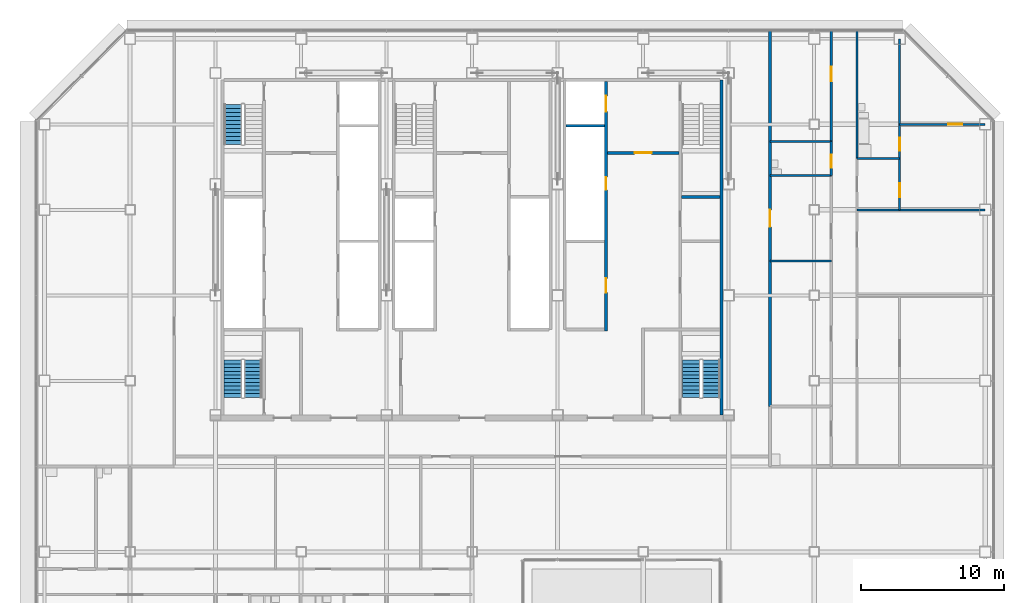
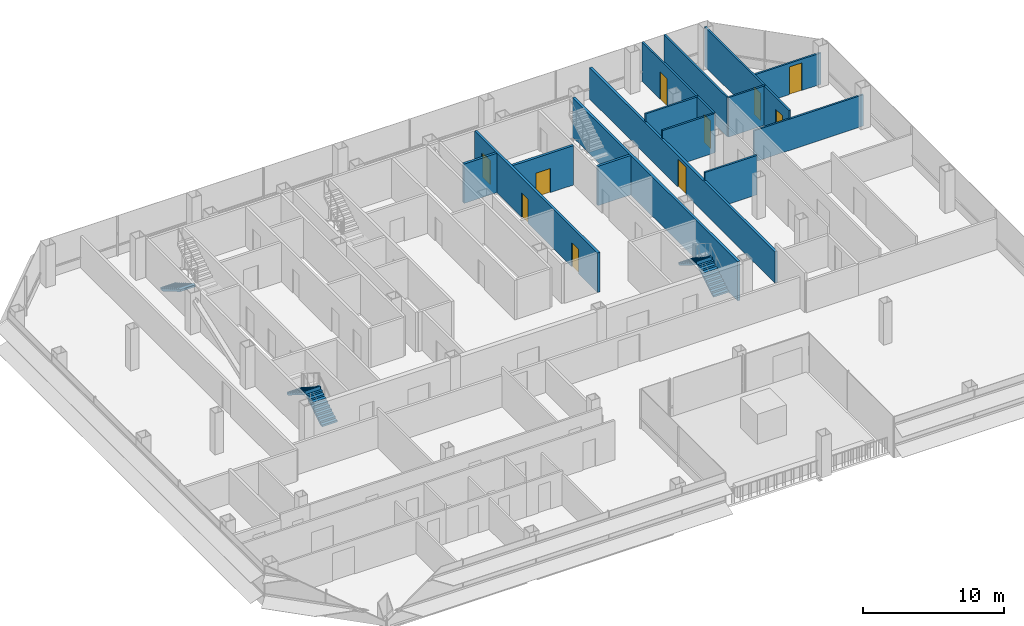
# One storey, part 21 of 26: 17 walls, 10 doors, 5 stair flights, 10 openings, 3 elements without a shape of their own.
"""IFC4 building model written with IfcOpenShell, lengths in metres."""

import ifcopenshell
import ifcopenshell.guid

model = None  # the IFC model being written
_history = None  # IfcOwnerHistory: only IFC2X3 demands one
_inside = {}  # id of a spatial element -> (the spatial element, [elements in it])
_under = {}  # id of a project, library or spatial element -> (it, [spatial elements below it])
_declared = {}  # id of a project -> (the project, [libraries it declares])
_typed = {}  # id of a type object -> (the type object, [elements of that type])
_made_of = {}  # id of a material, layer set ... -> (it, [elements and type objects made of it])


def new_model(schema):
    """Start an empty IFC model of exactly this schema.

    Asked for "IFC4X3", IfcOpenShell would pick the latest addendum, in which some entities
    have other attributes; the version numbers below select the first issue.
    IFC2X3 requires an IfcOwnerHistory on every rooted entity: one is made here for all.
    """
    global model, _history
    if schema == "IFC4X3":
        model = ifcopenshell.file(schema_version=(4, 3, 0, 0))
    else:
        model = ifcopenshell.file(schema=schema)
    _inside.clear()
    _under.clear()
    _declared.clear()
    _typed.clear()
    _made_of.clear()
    _history = None
    if model.schema == "IFC2X3":
        org = make("IfcOrganization", Name="unknown")
        user = make(
            "IfcPersonAndOrganization",
            ThePerson=make("IfcPerson", FamilyName="unknown"),
            TheOrganization=org,
        )
        app = make(
            "IfcApplication",
            ApplicationDeveloper=org,
            Version="unknown",
            ApplicationFullName="unknown",
            ApplicationIdentifier="unknown",
        )
        _history = make(
            "IfcOwnerHistory",
            OwningUser=user,
            OwningApplication=app,
            ChangeAction="ADDED",
            CreationDate=0,
        )
    return model


def make(cls, **values):
    """One entity of the class cls with the attributes given. An attribute that is None is left unset."""
    return model.create_entity(
        cls, **{name: value for name, value in values.items() if value is not None}
    )


def rooted(cls, **values):
    """An entity with a GlobalId (a new one), such as an element, a storey or a relation."""
    return make(cls, GlobalId=ifcopenshell.guid.new(), OwnerHistory=_history, **values)


def si_unit(unit_type, name, prefix=None):
    """IfcSIUnit, for example si_unit("LENGTHUNIT", "METRE", prefix="MILLI")."""
    return make("IfcSIUnit", UnitType=unit_type, Prefix=prefix, Name=name)


def assignment(units):
    """IfcUnitAssignment: the units of a project."""
    return None if units is None else make("IfcUnitAssignment", Units=units)


def point(xyz):
    """IfcCartesianPoint."""
    return None if xyz is None else make("IfcCartesianPoint", Coordinates=xyz)


def direction(xyz):
    """IfcDirection."""
    return None if xyz is None else make("IfcDirection", DirectionRatios=xyz)


def frame(location, z_axis=None, x_axis=None):
    """IfcAxis2Placement3D, a coordinate frame: its origin and axes. An axis left out is left unset."""
    return make(
        "IfcAxis2Placement3D",
        Location=point(location),
        Axis=direction(z_axis),
        RefDirection=direction(x_axis),
    )


def frame_2d(location, x_axis=None):
    """IfcAxis2Placement2D, a coordinate frame in the plane: its origin and x axis."""
    return make(
        "IfcAxis2Placement2D", Location=point(location), RefDirection=direction(x_axis)
    )


def origin():
    """The frame at (0, 0, 0) with its axes left unset."""
    return frame((0.0, 0.0, 0.0))


def place(relative_to, where):
    """IfcLocalPlacement: puts the frame where relative to a parent placement (None: the world)."""
    return make(
        "IfcLocalPlacement", PlacementRelTo=relative_to, RelativePlacement=where
    )


def context(
    kind, dimensions, precision=None, world=None, true_north=None, identifier=None
):
    """IfcGeometricRepresentationContext, for example the 3D "Model" context."""
    return make(
        "IfcGeometricRepresentationContext",
        ContextIdentifier=identifier,
        ContextType=kind,
        CoordinateSpaceDimension=dimensions,
        Precision=precision,
        WorldCoordinateSystem=world,
        TrueNorth=true_north,
    )


def subcontext(parent, identifier, kind, view, scale=None):
    """IfcGeometricRepresentationSubContext, for example "Body" below "Model"."""
    return make(
        "IfcGeometricRepresentationSubContext",
        ContextIdentifier=identifier,
        ContextType=kind,
        ParentContext=parent,
        TargetScale=scale,
        TargetView=view,
    )


def project(units=None, contexts=None):
    """IfcProject with its units and contexts."""
    return rooted(
        "IfcProject",
        Name="project",
        RepresentationContexts=contexts,
        UnitsInContext=assignment(units),
    )


def spatial(cls, under=None, at=None, **own):
    """A site, building, storey or space (cls), placed at a placement, below another one or the project."""
    s = rooted(cls, ObjectPlacement=at, **own)
    if under is not None:
        _under.setdefault(under.id(), (under, []))[1].append(s)
    return s


def polyline(points):
    """IfcPolyline through the points."""
    return make("IfcPolyline", Points=[point(p) for p in points])


def profile(cls, at=None, kind="AREA", **sizes):
    """A parametric profile (cls). Its sizes go by their IFC names, for example OverallWidth=200.0."""
    return make(cls, ProfileType=kind, Position=at, **sizes)


def rectangle(**sizes):
    """IfcRectangleProfileDef."""
    return profile("IfcRectangleProfileDef", **sizes)


def outline(outer, holes=None, kind="AREA"):
    """IfcArbitraryClosedProfileDef: a profile drawn as a closed curve; with holes, ...WithVoids."""
    if holes is None:
        return make("IfcArbitraryClosedProfileDef", ProfileType=kind, OuterCurve=outer)
    return make(
        "IfcArbitraryProfileDefWithVoids",
        ProfileType=kind,
        OuterCurve=outer,
        InnerCurves=holes,
    )


def extrude(swept, where, along, depth):
    """IfcExtrudedAreaSolid: the profile swept, set in the frame where, extruded along a direction by depth."""
    return make(
        "IfcExtrudedAreaSolid",
        SweptArea=swept,
        Position=where,
        ExtrudedDirection=direction(along),
        Depth=depth,
    )


def shape(context_of_items, identifier, shape_type, items):
    """IfcShapeRepresentation: the items that make up one representation, for example the "Body"."""
    return make(
        "IfcShapeRepresentation",
        ContextOfItems=context_of_items,
        RepresentationIdentifier=identifier,
        RepresentationType=shape_type,
        Items=items,
    )


def material(Name=None, Category=None):
    """IfcMaterial."""
    return make("IfcMaterial", Name=Name, Category=Category)


def layer(
    of_material, thickness, ventilated=None, Name=None, Category=None, Priority=None
):
    """IfcMaterialLayer: one layer of a wall or slab, of a material (None: an air gap)."""
    return make(
        "IfcMaterialLayer",
        Material=of_material,
        LayerThickness=thickness,
        IsVentilated=ventilated,
        Name=Name,
        Category=Category,
        Priority=Priority,
    )


def layer_set(layers, Name=None):
    """IfcMaterialLayerSet."""
    return make("IfcMaterialLayerSet", MaterialLayers=layers, LayerSetName=Name)


def made_of(thing, what):
    """Note that an element or type object is made of a material, layer set ...; save() writes the relation."""
    if what is not None:
        _made_of.setdefault(what.id(), (what, []))[1].append(thing)
    return thing


def type_object(cls, material=None, **own):
    """A type object (cls), such as IfcWallType, which elements share."""
    return made_of(rooted(cls, **own), material)


def element(
    cls,
    number,
    at=None,
    inside=None,
    cuts=None,
    type_object=None,
    material=None,
    context=None,
    identifier="Body",
    shape_type=None,
    held_by="IfcProductDefinitionShape",
    body=None,
    shapes=None,
    **own,
):
    """One element of the class cls, such as IfcWall. Its Tag is "e" and its number.

    at: its placement. inside: the storey or other place that contains it. cuts: it is an
    opening in that element (IfcRelVoidsElement). A single representation is given by context,
    identifier, shape_type and body (its items); several are given by shapes. held_by: the class
    of the entity that holds the representations. save() writes the other relations.
    """
    e = rooted(cls, Tag="e%d" % number, ObjectPlacement=at, **own)
    if body is not None:
        shapes = [shape(context, identifier, shape_type, body)]
    if shapes is not None:
        e.Representation = make(held_by, Representations=shapes)
    if inside is not None:
        _inside.setdefault(inside.id(), (inside, []))[1].append(e)
    if cuts is not None:
        rooted(
            "IfcRelVoidsElement", RelatingBuildingElement=cuts, RelatedOpeningElement=e
        )
    if type_object is not None:
        _typed.setdefault(type_object.id(), (type_object, []))[1].append(e)
    return made_of(e, material)


def fill(opening, filler):
    """IfcRelFillsElement: the door or window that sits in an opening."""
    return rooted(
        "IfcRelFillsElement",
        RelatingOpeningElement=opening,
        RelatedBuildingElement=filler,
    )


def aggregate(whole, parts):
    """IfcRelAggregates: a whole, such as a stair, and the parts it consists of."""
    return rooted("IfcRelAggregates", RelatingObject=whole, RelatedObjects=parts)


def save(model, path):
    """Write the relations noted so far, then the file.

    IfcRelAggregates (storeys below a building ...), IfcRelContainedInSpatialStructure (elements
    in a storey), IfcRelDefinesByType, IfcRelAssociatesMaterial and IfcRelDeclares: one each for
    every whole, place, type object, material and project.
    """
    for whole, parts in _under.values():
        aggregate(whole, parts)
    for where, things in _inside.values():
        rooted(
            "IfcRelContainedInSpatialStructure",
            RelatedElements=things,
            RelatingStructure=where,
        )
    for kind, things in _typed.values():
        rooted("IfcRelDefinesByType", RelatedObjects=things, RelatingType=kind)
    for what, things in _made_of.values():
        rooted("IfcRelAssociatesMaterial", RelatedObjects=things, RelatingMaterial=what)
    for by, libraries in _declared.values():
        rooted("IfcRelDeclares", RelatingContext=by, RelatedDefinitions=libraries)
    model.write(path)


model = new_model("IFC4")

# Units and contexts
model_context = context("Model", 3, precision=1e-05, world=origin(), true_north=direction((0.0, 1.0)))
body_context = subcontext(model_context, "Body", "Model", "MODEL_VIEW")
ifc_project = project(units=[si_unit("LENGTHUNIT", "METRE"), si_unit("AREAUNIT", "SQUARE_METRE"), si_unit("VOLUMEUNIT", "CUBIC_METRE"), si_unit("PLANEANGLEUNIT", "RADIAN"), si_unit("MASSUNIT", "GRAM", prefix="KILO")], contexts=[model_context])

# Site, building, storey
site_placement = place(None, origin())
site = spatial("IfcSite", under=ifc_project, at=site_placement, CompositionType="ELEMENT")
building_placement = place(site_placement, origin())
building = spatial("IfcBuilding", under=site, at=building_placement, Name="Sorahane Residences", CompositionType="ELEMENT")
storey_placement = place(building_placement, frame((0.0, 0.0, 103.39990234375)))
storey = spatial("IfcBuildingStorey", under=building, at=storey_placement, Name="L22", CompositionType="ELEMENT", Elevation=103.39990234375)

# Wall
ifc_material_1 = material(Name="Concrete C30", Category="concrete")
ifc_layer_1 = layer(ifc_material_1, 0.199951171875)
ifc_layer_set_1 = layer_set([ifc_layer_1], Name="Core face wall 200 EI 180")
wall_type_1 = type_object("IfcWallType", Name="Core face wall 200 EI 180", PredefinedType="SOLIDWALL", material=ifc_layer_set_1)
wall_1_placement = place(storey_placement, frame((41.5, 21.60009765625, 0.0), z_axis=(0.0, 0.0, 1.0), x_axis=(0.0, 1.0, 0.0)))
element("IfcWall", 1, at=wall_1_placement, inside=storey, type_object=wall_type_1, Name="L22 core face wall", PredefinedType="SOLIDWALL", context=body_context, shape_type="SweptSolid", body=[
    extrude(rectangle(XDim=23.5, YDim=0.199951171875, at=frame_2d((11.75, 0.0))), origin(), (0.0, 0.0, 1.0), 3.420166015625),
])

# Wall, opening, door
ifc_material_2 = material(Name="Concrete blockwork C20 wall", Category="masonry")
ifc_layer_2 = layer(ifc_material_2, 0.199951171875)
ifc_layer_set_2 = layer_set([ifc_layer_2], Name="Corridor wall 200 EI 120")
wall_type_2 = type_object("IfcWallType", Name="Corridor wall 200 EI 120", PredefinedType="SOLIDWALL", material=ifc_layer_set_2)
wall_2_placement = place(storey_placement, frame((44.89990234375, 22.199951171875, 0.0), z_axis=(0.0, 0.0, 1.0), x_axis=(0.0, 1.0, 0.0)))
wall_2 = element("IfcWall", 2, at=wall_2_placement, inside=storey, type_object=wall_type_2, Name="L22 corridor wall", PredefinedType="SOLIDWALL", context=body_context, shape_type="SweptSolid", body=[
    extrude(rectangle(XDim=26.400146484375, YDim=0.199951171875, at=frame_2d((13.2001953125, 0.0))), origin(), (0.0, 0.0, 1.0), 2.72021484375),
])
opening_1_placement = place(wall_2_placement, frame((12.60009765625, 0.0, 0.0)))
opening_1 = element("IfcOpeningElement", 3, at=opening_1_placement, cuts=wall_2, Name="Opening L22-28", PredefinedType="OPENING", context=body_context, shape_type="SweptSolid", body=[
    extrude(rectangle(XDim=1.199951171875, YDim=2.39990234375, at=frame_2d((0.60009765625, 1.199951171875))), frame((0.0, 0.10986328125, 0.0), z_axis=(0.0, -1.0, 0.0), x_axis=(1.0, 0.0, 0.0)), (0.0, 0.0, 1.0), 0.219970703125),
])
ifc_material_3 = material(Name="Timber veneered fire door", Category="wood")
door_type_1 = type_object("IfcDoorType", Name="Flat entrance door 1200x2400 FD60", OperationType="NOTDEFINED", PredefinedType="DOOR", material=ifc_material_3)
door_1_placement = place(opening_1_placement, frame((1.199951171875, 0.0, 0.0), z_axis=(0.0, 0.0, 1.0), x_axis=(-1.0, 0.0, 0.0)))
door_1 = element("IfcDoor", 4, at=door_1_placement, inside=storey, type_object=door_type_1, Name="Flat entrance door L22-28", OperationType="SINGLE_SWING_RIGHT", OverallHeight=2.39990234375, OverallWidth=1.199951171875, PredefinedType="DOOR", context=body_context, shape_type="SweptSolid", body=[
    extrude(rectangle(XDim=1.199951171875, YDim=2.39990234375, at=frame_2d((0.60009765625, 1.199951171875))), frame((0.0, 0.02490234375, 0.0), z_axis=(0.0, -1.0, 0.0), x_axis=(1.0, 0.0, 0.0)), (0.0, 0.0, 1.0), 0.050048828125),
])
fill(opening_1, door_1)

ifc_material_4 = material(Name="Concrete C30", Category="concrete")
ifc_layer_3 = layer(ifc_material_4, 0.199951171875)
ifc_layer_set_3 = layer_set([ifc_layer_3], Name="Front room wall 200 EI 120")
wall_type_3 = type_object("IfcWallType", Name="Front room wall 200 EI 120", PredefinedType="PARTITIONING", material=ifc_layer_set_3)
wall_3_placement = place(storey_placement, frame((33.5, 40.0, 0.0), z_axis=(0.0, 0.0, 1.0), x_axis=(1.0, 0.0, 0.0)))
wall_3 = element("IfcWall", 5, at=wall_3_placement, inside=storey, type_object=wall_type_3, Name="L22 front room wall", PredefinedType="PARTITIONING", context=body_context, shape_type="SweptSolid", body=[
    extrude(rectangle(XDim=5.0, YDim=0.199951171875, at=frame_2d((2.5, 0.0))), origin(), (0.0, 0.0, 1.0), 3.420166015625),
])
opening_2_placement = place(wall_3_placement, frame((1.89990234375, 0.0, 0.0)))
opening_2 = element("IfcOpeningElement", 6, at=opening_2_placement, cuts=wall_3, Name="Opening L22-C09", PredefinedType="OPENING", context=body_context, shape_type="SweptSolid", body=[
    extrude(rectangle(XDim=1.199951171875, YDim=2.10009765625, at=frame_2d((0.60009765625, 1.050048828125))), frame((0.0, 0.10986328125, 0.0), z_axis=(0.0, -1.0, 0.0), x_axis=(1.0, 0.0, 0.0)), (0.0, 0.0, 1.0), 0.219970703125),
])
ifc_material_5 = material(Name="Steel", Category="steel")
door_type_2 = type_object("IfcDoorType", Name="Front room door 1200x2100 FD120", OperationType="NOTDEFINED", PredefinedType="DOOR", material=ifc_material_5)
door_2_placement = place(opening_2_placement, frame((1.199951171875, 0.0, 0.0), z_axis=(0.0, 0.0, 1.0), x_axis=(-1.0, 0.0, 0.0)))
door_2 = element("IfcDoor", 7, at=door_2_placement, inside=storey, type_object=door_type_2, Name="Front room door Firefighting lobby FF2 front room L22", OperationType="DOUBLE_DOOR_SINGLE_SWING", OverallHeight=2.10009765625, OverallWidth=1.199951171875, PredefinedType="DOOR", context=body_context, shape_type="SweptSolid", body=[
    extrude(rectangle(XDim=1.199951171875, YDim=2.10009765625, at=frame_2d((0.60009765625, 1.050048828125))), frame((0.0, 0.02490234375, 0.0), z_axis=(0.0, -1.0, 0.0), x_axis=(1.0, 0.0, 0.0)), (0.0, 0.0, 1.0), 0.050048828125),
])
fill(opening_2, door_2)

# Wall, openings, doors
ifc_material_6 = material(Name="Concrete C30", Category="concrete")
ifc_layer_4 = layer(ifc_material_6, 0.199951171875)
ifc_layer_set_4 = layer_set([ifc_layer_4], Name="Lift shaft wall 200 EI 120")
wall_type_4 = type_object("IfcWallType", Name="Lift shaft wall 200 EI 120", PredefinedType="SOLIDWALL", material=ifc_layer_set_4)
wall_4_placement = place(storey_placement, frame((33.39990234375, 27.5, 0.0), z_axis=(0.0, 0.0, 1.0), x_axis=(0.0, 1.0, 0.0)))
wall_4 = element("IfcWall", 8, at=wall_4_placement, inside=storey, type_object=wall_type_4, Name="L22 lift shaft wall", PredefinedType="SOLIDWALL", context=body_context, shape_type="SweptSolid", body=[
    extrude(rectangle(XDim=17.5, YDim=0.199951171875, at=frame_2d((8.75, 0.0))), origin(), (0.0, 0.0, 1.0), 3.420166015625),
])
opening_3_placement = place(wall_4_placement, frame((15.39990234375, 0.0, 0.0)))
opening_3 = element("IfcOpeningElement", 9, at=opening_3_placement, cuts=wall_4, Name="Opening L22-C10", PredefinedType="OPENING", context=body_context, shape_type="SweptSolid", body=[
    extrude(rectangle(XDim=1.10009765625, YDim=2.10009765625, at=frame_2d((0.550048828125, 1.050048828125))), frame((0.0, 0.10986328125, 0.0), z_axis=(0.0, -1.0, 0.0), x_axis=(1.0, 0.0, 0.0)), (0.0, 0.0, 1.0), 0.219970703125),
])
opening_4_placement = place(wall_4_placement, frame((2.699951171875, 0.0, 0.0)))
opening_4 = element("IfcOpeningElement", 10, at=opening_4_placement, cuts=wall_4, Name="Opening L22-C19", PredefinedType="OPENING", context=body_context, shape_type="SweptSolid", body=[
    extrude(rectangle(XDim=1.0, YDim=2.10009765625, at=frame_2d((0.5, 1.050048828125))), frame((0.0, 0.10986328125, 0.0), z_axis=(0.0, -1.0, 0.0), x_axis=(1.0, 0.0, 0.0)), (0.0, 0.0, 1.0), 0.219970703125),
])
opening_5_placement = place(wall_4_placement, frame((9.89990234375, 0.0, 0.0)))
opening_5 = element("IfcOpeningElement", 11, at=opening_5_placement, cuts=wall_4, Name="Opening L22-C26", PredefinedType="OPENING", context=body_context, shape_type="SweptSolid", body=[
    extrude(rectangle(XDim=0.89990234375, YDim=2.10009765625, at=frame_2d((0.449951171875, 1.050048828125))), frame((0.0, 0.10986328125, 0.0), z_axis=(0.0, -1.0, 0.0), x_axis=(1.0, 0.0, 0.0)), (0.0, 0.0, 1.0), 0.219970703125),
])
ifc_material_7 = material(Name="Aluminium and stainless steel", Category="steel")
door_type_3 = type_object("IfcDoorType", Name="Lift landing door 1100x2100 E 60", OperationType="NOTDEFINED", PredefinedType="DOOR", material=ifc_material_7)
door_3_placement = place(opening_3_placement, origin())
door_3 = element("IfcDoor", 12, at=door_3_placement, inside=storey, type_object=door_type_3, Name="Lift landing door FF2 L22", OperationType="DOUBLE_DOOR_SLIDING", OverallHeight=2.10009765625, OverallWidth=1.10009765625, PredefinedType="DOOR", context=body_context, shape_type="SweptSolid", body=[
    extrude(rectangle(XDim=1.10009765625, YDim=2.10009765625, at=frame_2d((0.550048828125, 1.050048828125))), frame((0.0, 0.02490234375, 0.0), z_axis=(0.0, -1.0, 0.0), x_axis=(1.0, 0.0, 0.0)), (0.0, 0.0, 1.0), 0.050048828125),
])
fill(opening_3, door_3)
ifc_material_8 = material(Name="Steel", Category="steel")
door_type_4 = type_object("IfcDoorType", Name="Riser door 900x2100 FD120", OperationType="NOTDEFINED", PredefinedType="DOOR", material=ifc_material_8)
door_4_placement = place(opening_5_placement, frame((0.89990234375, 0.0, 0.0), z_axis=(0.0, 0.0, 1.0), x_axis=(-1.0, 0.0, 0.0)))
door_4 = element("IfcDoor", 13, at=door_4_placement, inside=storey, type_object=door_type_4, Name="Riser door R2 L22", OperationType="SINGLE_SWING_LEFT", OverallHeight=2.10009765625, OverallWidth=0.89990234375, PredefinedType="DOOR", context=body_context, shape_type="SweptSolid", body=[
    extrude(rectangle(XDim=0.89990234375, YDim=2.10009765625, at=frame_2d((0.449951171875, 1.050048828125))), frame((0.0, 0.02490234375, 0.0), z_axis=(0.0, -1.0, 0.0), x_axis=(1.0, 0.0, 0.0)), (0.0, 0.0, 1.0), 0.050048828125),
])
fill(opening_5, door_4)
ifc_material_9 = material(Name="Steel", Category="steel")
door_type_5 = type_object("IfcDoorType", Name="Service room door 1000x2100 FD60", OperationType="NOTDEFINED", PredefinedType="DOOR", material=ifc_material_9)
door_5_placement = place(opening_4_placement, origin())
door_5 = element("IfcDoor", 14, at=door_5_placement, inside=storey, type_object=door_type_5, Name="Service room door Guest suite store L22", OperationType="SINGLE_SWING_RIGHT", OverallHeight=2.10009765625, OverallWidth=1.0, PredefinedType="DOOR", context=body_context, shape_type="SweptSolid", body=[
    extrude(rectangle(XDim=1.0, YDim=2.10009765625, at=frame_2d((0.5, 1.050048828125))), frame((0.0, 0.02490234375, 0.0), z_axis=(0.0, -1.0, 0.0), x_axis=(1.0, 0.0, 0.0)), (0.0, 0.0, 1.0), 0.050048828125),
])
fill(opening_4, door_5)

# Wall
wall_5_placement = place(storey_placement, frame((30.60009765625, 41.89990234375, 0.0), z_axis=(0.0, 0.0, 1.0), x_axis=(1.0, 0.0, 0.0)))
element("IfcWall", 15, at=wall_5_placement, inside=storey, type_object=wall_type_4, Name="L22 lift shaft wall", PredefinedType="SOLIDWALL", context=body_context, shape_type="SweptSolid", body=[
    extrude(rectangle(XDim=2.699951171875, YDim=0.199951171875, at=frame_2d((1.35009765625, 0.0))), origin(), (0.0, 0.0, 1.0), 3.420166015625),
])

# Wall, opening, door
ifc_material_10 = material(Name="Gypsum board partition on steel studs", Category="steel")
ifc_layer_5 = layer(ifc_material_10, 0.14990234375)
ifc_layer_set_5 = layer_set([ifc_layer_5], Name="Partition 150 EI 90")
wall_type_5 = type_object("IfcWallType", Name="Partition 150 EI 90", PredefinedType="PARTITIONING", material=ifc_layer_set_5)
wall_6_placement = place(storey_placement, frame((49.199951171875, 40.800048828125, 0.0), z_axis=(0.0, 0.0, 1.0), x_axis=(0.0, 1.0, 0.0)))
wall_6 = element("IfcWall", 16, at=wall_6_placement, inside=storey, type_object=wall_type_5, Name="L22 partition", PredefinedType="PARTITIONING", context=body_context, shape_type="SweptSolid", body=[
    extrude(rectangle(XDim=7.800048828125, YDim=0.14990234375, at=frame_2d((3.89990234375, 0.0))), origin(), (0.0, 0.0, 1.0), 3.420166015625),
])
opening_6_placement = place(wall_6_placement, frame((4.239990234375, 0.0, 0.0)))
opening_6 = element("IfcOpeningElement", 17, at=opening_6_placement, cuts=wall_6, Name="Opening L22-19", PredefinedType="OPENING", context=body_context, shape_type="SweptSolid", body=[
    extrude(rectangle(XDim=1.0, YDim=2.39990234375, at=frame_2d((0.5, 1.199951171875))), frame((0.0, 0.0849609375, 0.0), z_axis=(0.0, -1.0, 0.0), x_axis=(1.0, 0.0, 0.0)), (0.0, 0.0, 1.0), 0.169921875),
])
ifc_material_11 = material(Name="Timber veneered fire door", Category="wood")
door_type_6 = type_object("IfcDoorType", Name="Room door 1000x2400 FD30", OperationType="NOTDEFINED", PredefinedType="DOOR", material=ifc_material_11)
door_6_placement = place(opening_6_placement, origin())
door_6 = element("IfcDoor", 18, at=door_6_placement, inside=storey, type_object=door_type_6, Name="Room door L22-19", OperationType="SINGLE_SWING_LEFT", OverallHeight=2.39990234375, OverallWidth=1.0, PredefinedType="DOOR", context=body_context, shape_type="SweptSolid", body=[
    extrude(rectangle(XDim=1.0, YDim=2.39990234375, at=frame_2d((0.5, 1.199951171875))), frame((0.0, 0.02490234375, 0.0), z_axis=(0.0, -1.0, 0.0), x_axis=(1.0, 0.0, 0.0)), (0.0, 0.0, 1.0), 0.050048828125),
])
fill(opening_6, door_6)

wall_7_placement = place(storey_placement, frame((54.0, 36.0, 0.0), z_axis=(0.0, 0.0, 1.0), x_axis=(0.0, 1.0, 0.0)))
wall_7 = element("IfcWall", 19, at=wall_7_placement, inside=storey, type_object=wall_type_5, Name="L22 partition", PredefinedType="PARTITIONING", context=body_context, shape_type="SweptSolid", body=[
    extrude(rectangle(XDim=3.60009765625, YDim=0.14990234375, at=frame_2d((1.800048828125, 0.0))), origin(), (0.0, 0.0, 1.0), 3.420166015625),
])
opening_7_placement = place(wall_7_placement, frame((0.8798828125, 0.0, 0.0)))
opening_7 = element("IfcOpeningElement", 20, at=opening_7_placement, cuts=wall_7, Name="Opening L22-24", PredefinedType="OPENING", context=body_context, shape_type="SweptSolid", body=[
    extrude(rectangle(XDim=1.0, YDim=2.39990234375, at=frame_2d((0.5, 1.199951171875))), frame((0.0, 0.0849609375, 0.0), z_axis=(0.0, -1.0, 0.0), x_axis=(1.0, 0.0, 0.0)), (0.0, 0.0, 1.0), 0.169921875),
])
door_7_placement = place(opening_7_placement, frame((1.0, 0.0, 0.0), z_axis=(0.0, 0.0, 1.0), x_axis=(-1.0, 0.0, 0.0)))
door_7 = element("IfcDoor", 21, at=door_7_placement, inside=storey, type_object=door_type_6, Name="Room door L22-24", OperationType="SINGLE_SWING_RIGHT", OverallHeight=2.39990234375, OverallWidth=1.0, PredefinedType="DOOR", context=body_context, shape_type="SweptSolid", body=[
    extrude(rectangle(XDim=1.0, YDim=2.39990234375, at=frame_2d((0.5, 1.199951171875))), frame((0.0, 0.02490234375, 0.0), z_axis=(0.0, -1.0, 0.0), x_axis=(1.0, 0.0, 0.0)), (0.0, 0.0, 1.0), 0.050048828125),
])
fill(opening_7, door_7)

# Walls
wall_8_placement = place(storey_placement, frame((44.89990234375, 32.39990234375, 0.0), z_axis=(0.0, 0.0, 1.0), x_axis=(1.0, 0.0, 0.0)))
element("IfcWall", 22, at=wall_8_placement, inside=storey, type_object=wall_type_5, Name="L22 partition", PredefinedType="PARTITIONING", context=body_context, shape_type="SweptSolid", body=[
    extrude(rectangle(XDim=4.300048828125, YDim=0.14990234375, at=frame_2d((2.14990234375, 0.0))), origin(), (0.0, 0.0, 1.0), 3.420166015625),
])
wall_9_placement = place(storey_placement, frame((51.0, 36.0, 0.0), z_axis=(0.0, 0.0, 1.0), x_axis=(1.0, 0.0, 0.0)))
element("IfcWall", 23, at=wall_9_placement, inside=storey, type_object=wall_type_5, Name="L22 partition", PredefinedType="PARTITIONING", context=body_context, shape_type="SweptSolid", body=[
    extrude(rectangle(XDim=9.0, YDim=0.14990234375, at=frame_2d((4.5, 0.0))), origin(), (0.0, 0.0, 1.0), 2.72021484375),
])

# Wall, opening, door
wall_10_placement = place(storey_placement, frame((54.0, 42.0, 0.0), z_axis=(0.0, 0.0, 1.0), x_axis=(1.0, 0.0, 0.0)))
wall_10 = element("IfcWall", 24, at=wall_10_placement, inside=storey, type_object=wall_type_5, Name="L22 partition", PredefinedType="PARTITIONING", context=body_context, shape_type="SweptSolid", body=[
    extrude(rectangle(XDim=6.0, YDim=0.14990234375, at=frame_2d((3.0, 0.0))), origin(), (0.0, 0.0, 1.0), 2.72021484375),
])
opening_8_placement = place(wall_10_placement, frame((3.39990234375, 0.0, 0.0)))
opening_8 = element("IfcOpeningElement", 25, at=opening_8_placement, cuts=wall_10, Name="Opening L22-25", PredefinedType="OPENING", context=body_context, shape_type="SweptSolid", body=[
    extrude(rectangle(XDim=1.0, YDim=2.39990234375, at=frame_2d((0.5, 1.199951171875))), frame((0.0, 0.0849609375, 0.0), z_axis=(0.0, -1.0, 0.0), x_axis=(1.0, 0.0, 0.0)), (0.0, 0.0, 1.0), 0.169921875),
])
door_8_placement = place(opening_8_placement, origin())
door_8 = element("IfcDoor", 26, at=door_8_placement, inside=storey, type_object=door_type_6, Name="Room door L22-25", OperationType="SINGLE_SWING_LEFT", OverallHeight=2.39990234375, OverallWidth=1.0, PredefinedType="DOOR", context=body_context, shape_type="SweptSolid", body=[
    extrude(rectangle(XDim=1.0, YDim=2.39990234375, at=frame_2d((0.5, 1.199951171875))), frame((0.0, 0.02490234375, 0.0), z_axis=(0.0, -1.0, 0.0), x_axis=(1.0, 0.0, 0.0)), (0.0, 0.0, 1.0), 0.050048828125),
])
fill(opening_8, door_8)

# Wall
ifc_material_12 = material(Name="Concrete C30", Category="concrete")
ifc_layer_6 = layer(ifc_material_12, 0.199951171875)
ifc_layer_set_6 = layer_set([ifc_layer_6], Name="Stair enclosure wall 200 EI 120")
wall_type_6 = type_object("IfcWallType", Name="Stair enclosure wall 200 EI 120", PredefinedType="SOLIDWALL", material=ifc_layer_set_6)
wall_11_placement = place(storey_placement, frame((38.699951171875, 36.89990234375, 0.0), z_axis=(0.0, 0.0, 1.0), x_axis=(1.0, 0.0, 0.0)))
element("IfcWall", 27, at=wall_11_placement, inside=storey, type_object=wall_type_6, Name="L22 stair enclosure wall", PredefinedType="SOLIDWALL", context=body_context, shape_type="SweptSolid", body=[
    extrude(rectangle(XDim=2.699951171875, YDim=0.199951171875, at=frame_2d((1.35009765625, 0.0))), origin(), (0.0, 0.0, 1.0), 3.420166015625),
])

# Wall, opening, door
ifc_material_13 = material(Name="Gypsum board partition on steel studs", Category="steel")
ifc_layer_7 = layer(ifc_material_13, 0.14990234375)
ifc_layer_set_7 = layer_set([ifc_layer_7], Name="Wet wall 150 EI 90")
wall_type_7 = type_object("IfcWallType", Name="Wet wall 150 EI 90", PredefinedType="PARTITIONING", material=ifc_layer_set_7)
wall_12_placement = place(storey_placement, frame((49.199951171875, 38.39990234375, 0.0), z_axis=(0.0, 0.0, 1.0), x_axis=(0.0, 1.0, 0.0)))
wall_12 = element("IfcWall", 28, at=wall_12_placement, inside=storey, type_object=wall_type_7, Name="L22 wet wall", PredefinedType="PARTITIONING", context=body_context, shape_type="SweptSolid", body=[
    extrude(rectangle(XDim=2.400146484375, YDim=0.14990234375, at=frame_2d((1.2001953125, 0.0))), origin(), (0.0, 0.0, 1.0), 3.420166015625),
])
opening_9_placement = place(wall_12_placement, frame((0.550048828125, 0.0, 0.0)))
opening_9 = element("IfcOpeningElement", 29, at=opening_9_placement, cuts=wall_12, Name="Opening L22-18", PredefinedType="OPENING", context=body_context, shape_type="SweptSolid", body=[
    extrude(rectangle(XDim=0.89990234375, YDim=2.39990234375, at=frame_2d((0.449951171875, 1.199951171875))), frame((0.0, 0.0849609375, 0.0), z_axis=(0.0, -1.0, 0.0), x_axis=(1.0, 0.0, 0.0)), (0.0, 0.0, 1.0), 0.169921875),
])
ifc_material_14 = material(Name="Timber veneered fire door", Category="wood")
door_type_7 = type_object("IfcDoorType", Name="Bathroom door 900x2400 FD30", OperationType="NOTDEFINED", PredefinedType="DOOR", material=ifc_material_14)
door_9_placement = place(opening_9_placement, frame((0.89990234375, 0.0, 0.0), z_axis=(0.0, 0.0, 1.0), x_axis=(-1.0, 0.0, 0.0)))
door_9 = element("IfcDoor", 30, at=door_9_placement, inside=storey, type_object=door_type_7, Name="Bathroom door L22-18", OperationType="SINGLE_SWING_LEFT", OverallHeight=2.39990234375, OverallWidth=0.89990234375, PredefinedType="DOOR", context=body_context, shape_type="SweptSolid", body=[
    extrude(rectangle(XDim=0.89990234375, YDim=2.39990234375, at=frame_2d((0.449951171875, 1.199951171875))), frame((0.0, 0.02490234375, 0.0), z_axis=(0.0, -1.0, 0.0), x_axis=(1.0, 0.0, 0.0)), (0.0, 0.0, 1.0), 0.050048828125),
])
fill(opening_9, door_9)

# Wall
wall_13_placement = place(storey_placement, frame((51.0, 39.60009765625, 0.0), z_axis=(0.0, 0.0, 1.0), x_axis=(0.0, 1.0, 0.0)))
element("IfcWall", 31, at=wall_13_placement, inside=storey, type_object=wall_type_7, Name="L22 wet wall", PredefinedType="PARTITIONING", context=body_context, shape_type="SweptSolid", body=[
    extrude(rectangle(XDim=9.0, YDim=0.14990234375, at=frame_2d((4.5, 0.0))), origin(), (0.0, 0.0, 1.0), 3.420166015625),
])

# Wall, opening, door
wall_14_placement = place(storey_placement, frame((54.0, 39.60009765625, 0.0), z_axis=(0.0, 0.0, 1.0), x_axis=(0.0, 1.0, 0.0)))
wall_14 = element("IfcWall", 32, at=wall_14_placement, inside=storey, type_object=wall_type_7, Name="L22 wet wall", PredefinedType="PARTITIONING", context=body_context, shape_type="SweptSolid", body=[
    extrude(rectangle(XDim=8.39990234375, YDim=0.14990234375, at=frame_2d((4.199951171875, 0.0))), origin(), (0.0, 0.0, 1.0), 3.420166015625),
])
opening_10_placement = place(wall_14_placement, frame((0.550048828125, 0.0, 0.0)))
opening_10 = element("IfcOpeningElement", 33, at=opening_10_placement, cuts=wall_14, Name="Opening L22-26", PredefinedType="OPENING", context=body_context, shape_type="SweptSolid", body=[
    extrude(rectangle(XDim=0.89990234375, YDim=2.39990234375, at=frame_2d((0.449951171875, 1.199951171875))), frame((0.0, 0.0849609375, 0.0), z_axis=(0.0, -1.0, 0.0), x_axis=(1.0, 0.0, 0.0)), (0.0, 0.0, 1.0), 0.169921875),
])
door_10_placement = place(opening_10_placement, frame((0.89990234375, 0.0, 0.0), z_axis=(0.0, 0.0, 1.0), x_axis=(-1.0, 0.0, 0.0)))
door_10 = element("IfcDoor", 34, at=door_10_placement, inside=storey, type_object=door_type_7, Name="Bathroom door L22-26", OperationType="SINGLE_SWING_LEFT", OverallHeight=2.39990234375, OverallWidth=0.89990234375, PredefinedType="DOOR", context=body_context, shape_type="SweptSolid", body=[
    extrude(rectangle(XDim=0.89990234375, YDim=2.39990234375, at=frame_2d((0.449951171875, 1.199951171875))), frame((0.0, 0.02490234375, 0.0), z_axis=(0.0, -1.0, 0.0), x_axis=(1.0, 0.0, 0.0)), (0.0, 0.0, 1.0), 0.050048828125),
])
fill(opening_10, door_10)

# Walls
wall_15_placement = place(storey_placement, frame((44.89990234375, 38.39990234375, 0.0), z_axis=(0.0, 0.0, 1.0), x_axis=(1.0, 0.0, 0.0)))
element("IfcWall", 35, at=wall_15_placement, inside=storey, type_object=wall_type_7, Name="L22 wet wall", PredefinedType="PARTITIONING", context=body_context, shape_type="SweptSolid", body=[
    extrude(rectangle(XDim=4.300048828125, YDim=0.14990234375, at=frame_2d((2.14990234375, 0.0))), origin(), (0.0, 0.0, 1.0), 3.420166015625),
])
wall_16_placement = place(storey_placement, frame((51.0, 39.60009765625, 0.0), z_axis=(0.0, 0.0, 1.0), x_axis=(1.0, 0.0, 0.0)))
element("IfcWall", 36, at=wall_16_placement, inside=storey, type_object=wall_type_7, Name="L22 wet wall", PredefinedType="PARTITIONING", context=body_context, shape_type="SweptSolid", body=[
    extrude(rectangle(XDim=3.0, YDim=0.14990234375, at=frame_2d((1.5, 0.0))), origin(), (0.0, 0.0, 1.0), 3.420166015625),
])
wall_17_placement = place(storey_placement, frame((44.89990234375, 40.800048828125, 0.0), z_axis=(0.0, 0.0, 1.0), x_axis=(1.0, 0.0, 0.0)))
element("IfcWall", 37, at=wall_17_placement, inside=storey, type_object=wall_type_7, Name="L22 wet wall", PredefinedType="PARTITIONING", context=body_context, shape_type="SweptSolid", body=[
    extrude(rectangle(XDim=4.300048828125, YDim=0.14990234375, at=frame_2d((2.14990234375, 0.0))), origin(), (0.0, 0.0, 1.0), 3.420166015625),
])

# Stair, stair flight
ifc_material_15 = material(Name="Concrete C40", Category="concrete")
stair_type = type_object("IfcStairType", Name="Dog-leg stair 1250 Concrete C40", PredefinedType="HALF_TURN_STAIR", material=ifc_material_15)
stair_1_placement = place(storey_placement, origin())
stair_1 = element("IfcStair", 38, at=stair_1_placement, inside=storey, type_object=stair_type, Name="L22 Stair S1", PredefinedType="HALF_TURN_STAIR")
ifc_material_16 = material(Name="Concrete C40", Category="concrete")
stair_flight_type = type_object("IfcStairFlightType", Name="Stair flight 1250 Concrete C40", PredefinedType="STRAIGHT", material=ifc_material_16)
stair_flight_1_placement = place(storey_placement, frame((7.22509765625, 43.39990234375, 0.0), z_axis=(0.0, 0.0, 1.0), x_axis=(0.0, -1.0, 0.0)))
stair_flight_1 = element("IfcStairFlight", 39, at=stair_flight_1_placement, type_object=stair_flight_type, Name="S1 flight 1", NumberOfRisers=11, NumberOfTreads=10, PredefinedType="STRAIGHT", RiserHeight=0.163636364, TreadLength=0.28, context=body_context, shape_type="SweptSolid", body=[
    extrude(outline(polyline([(-0.00146484375, 0.0), (-0.00146484375, 0.16357421875), (0.0, 0.16357421875), (0.280029296875, 0.16357421875), (0.280029296875, 0.327392578125), (0.56005859375, 0.327392578125), (0.56005859375, 0.490966796875), (0.840087890625, 0.490966796875), (0.840087890625, 0.654541015625), (1.1201171875, 0.654541015625), (1.1201171875, 0.818115234375), (1.39990234375, 0.818115234375), (1.39990234375, 0.98193359375), (1.679931640625, 0.98193359375), (1.679931640625, 1.1455078125), (1.9599609375, 1.1455078125), (1.9599609375, 1.30908203125), (2.239990234375, 1.30908203125), (2.239990234375, 1.47265625), (2.52001953125, 1.47265625), (2.52001953125, 1.636474609375), (2.800048828125, 1.636474609375), (2.800048828125, 1.800048828125), (2.800048828125, 1.462646484375), (2.59130859375, 1.3408203125), (2.3828125, 1.218994140625), (2.17431640625, 1.09716796875), (1.965576171875, 0.97509765625), (1.757080078125, 0.853271484375), (1.548583984375, 0.7314453125), (1.340087890625, 0.609375), (1.13134765625, 0.487548828125), (0.9228515625, 0.36572265625), (0.71435546875, 0.243896484375), (0.505615234375, 0.121826171875), (0.297119140625, 0.0), (-0.00146484375, 0.0)])), frame((0.0, 0.625, 0.0), z_axis=(0.0, -1.0, 0.0), x_axis=(1.0, 0.0, 0.0)), (0.0, 0.0, 1.0), 1.25),
])
aggregate(stair_1, [stair_flight_1])

# Stair, stair flights
stair_2_placement = place(storey_placement, origin())
stair_2 = element("IfcStair", 40, at=stair_2_placement, inside=storey, type_object=stair_type, Name="L22 Stair S4", PredefinedType="HALF_TURN_STAIR")
stair_flight_2_placement = place(storey_placement, frame((8.625, 22.85009765625, 0.0), z_axis=(0.0, 0.0, 1.0), x_axis=(0.0, 1.0, 0.0)))
stair_flight_2 = element("IfcStairFlight", 41, at=stair_flight_2_placement, type_object=stair_flight_type, Name="S4 flight 1", NumberOfRisers=11, NumberOfTreads=10, PredefinedType="STRAIGHT", RiserHeight=0.163636364, TreadLength=0.26, context=body_context, shape_type="SweptSolid", body=[
    extrude(outline(polyline([(-0.00146484375, 0.0), (-0.00146484375, 0.16357421875), (0.0, 0.16357421875), (0.260009765625, 0.16357421875), (0.260009765625, 0.327392578125), (0.52001953125, 0.327392578125), (0.52001953125, 0.490966796875), (0.780029296875, 0.490966796875), (0.780029296875, 0.654541015625), (1.0400390625, 0.654541015625), (1.0400390625, 0.818115234375), (1.300048828125, 0.818115234375), (1.300048828125, 0.98193359375), (1.56005859375, 0.98193359375), (1.56005859375, 1.1455078125), (1.820068359375, 1.1455078125), (1.820068359375, 1.30908203125), (2.080078125, 1.30908203125), (2.080078125, 1.47265625), (2.340087890625, 1.47265625), (2.340087890625, 1.636474609375), (2.60009765625, 1.636474609375), (2.60009765625, 1.800048828125), (2.60009765625, 1.494384765625), (2.402099609375, 1.369873046875), (2.204345703125, 1.245361328125), (2.00634765625, 1.120849609375), (1.80859375, 0.996337890625), (1.610595703125, 0.871826171875), (1.412841796875, 0.747314453125), (1.21484375, 0.622802734375), (1.01708984375, 0.498046875), (0.819091796875, 0.37353515625), (0.621337890625, 0.2490234375), (0.42333984375, 0.12451171875), (0.2255859375, 0.0), (-0.00146484375, 0.0)])), frame((0.0, 0.625, 0.0), z_axis=(0.0, -1.0, 0.0), x_axis=(1.0, 0.0, 0.0)), (0.0, 0.0, 1.0), 1.25),
])
stair_flight_3_placement = place(storey_placement, frame((7.22509765625, 25.449951171875, 1.800048828125), z_axis=(0.0, 0.0, 1.0), x_axis=(0.0, -1.0, 0.0)))
stair_flight_3 = element("IfcStairFlight", 42, at=stair_flight_3_placement, type_object=stair_flight_type, Name="S4 flight 2", NumberOfRisers=11, NumberOfTreads=10, PredefinedType="STRAIGHT", RiserHeight=0.163636364, TreadLength=0.26, context=body_context, shape_type="SweptSolid", body=[
    extrude(outline(polyline([(0.0, 0.0), (0.0, 0.16357421875), (0.260009765625, 0.16357421875), (0.260009765625, 0.327392578125), (0.52001953125, 0.327392578125), (0.52001953125, 0.490966796875), (0.780029296875, 0.490966796875), (0.780029296875, 0.654541015625), (1.0400390625, 0.654541015625), (1.0400390625, 0.818115234375), (1.300048828125, 0.818115234375), (1.300048828125, 0.98193359375), (1.56005859375, 0.98193359375), (1.56005859375, 1.1455078125), (1.820068359375, 1.1455078125), (1.820068359375, 1.30908203125), (2.080078125, 1.30908203125), (2.080078125, 1.47265625), (2.340087890625, 1.47265625), (2.340087890625, 1.636474609375), (2.60009765625, 1.636474609375), (2.60009765625, 1.800048828125), (2.6015625, 1.800048828125), (2.6015625, 1.494384765625), (2.403564453125, 1.369873046875), (2.20556640625, 1.245361328125), (2.007568359375, 1.120849609375), (1.8095703125, 0.996337890625), (1.611572265625, 0.871826171875), (1.41357421875, 0.747314453125), (1.215576171875, 0.622802734375), (1.017578125, 0.498046875), (0.819580078125, 0.37353515625), (0.62158203125, 0.2490234375), (0.423583984375, 0.12451171875), (0.2255859375, 0.0), (0.0, 0.0)])), frame((0.0, 0.625, 0.0), z_axis=(0.0, -1.0, 0.0), x_axis=(1.0, 0.0, 0.0)), (0.0, 0.0, 1.0), 1.25),
])
aggregate(stair_2, [stair_flight_2, stair_flight_3])

stair_3_placement = place(storey_placement, origin())
stair_3 = element("IfcStair", 43, at=stair_3_placement, inside=storey, type_object=stair_type, Name="L22 Stair S5", PredefinedType="HALF_TURN_STAIR")
stair_flight_4_placement = place(storey_placement, frame((40.77490234375, 22.85009765625, 0.0), z_axis=(0.0, 0.0, 1.0), x_axis=(0.0, 1.0, 0.0)))
stair_flight_4 = element("IfcStairFlight", 44, at=stair_flight_4_placement, type_object=stair_flight_type, Name="S5 flight 1", NumberOfRisers=11, NumberOfTreads=10, PredefinedType="STRAIGHT", RiserHeight=0.163636364, TreadLength=0.26, context=body_context, shape_type="SweptSolid", body=[
    extrude(outline(polyline([(-0.00146484375, 0.0), (-0.00146484375, 0.16357421875), (0.0, 0.16357421875), (0.260009765625, 0.16357421875), (0.260009765625, 0.327392578125), (0.52001953125, 0.327392578125), (0.52001953125, 0.490966796875), (0.780029296875, 0.490966796875), (0.780029296875, 0.654541015625), (1.0400390625, 0.654541015625), (1.0400390625, 0.818115234375), (1.300048828125, 0.818115234375), (1.300048828125, 0.98193359375), (1.56005859375, 0.98193359375), (1.56005859375, 1.1455078125), (1.820068359375, 1.1455078125), (1.820068359375, 1.30908203125), (2.080078125, 1.30908203125), (2.080078125, 1.47265625), (2.340087890625, 1.47265625), (2.340087890625, 1.636474609375), (2.60009765625, 1.636474609375), (2.60009765625, 1.800048828125), (2.60009765625, 1.494384765625), (2.402099609375, 1.369873046875), (2.204345703125, 1.245361328125), (2.00634765625, 1.120849609375), (1.80859375, 0.996337890625), (1.610595703125, 0.871826171875), (1.412841796875, 0.747314453125), (1.21484375, 0.622802734375), (1.01708984375, 0.498046875), (0.819091796875, 0.37353515625), (0.621337890625, 0.2490234375), (0.42333984375, 0.12451171875), (0.2255859375, 0.0), (-0.00146484375, 0.0)])), frame((0.0, 0.625, 0.0), z_axis=(0.0, -1.0, 0.0), x_axis=(1.0, 0.0, 0.0)), (0.0, 0.0, 1.0), 1.25),
])
stair_flight_5_placement = place(storey_placement, frame((39.375, 25.449951171875, 1.800048828125), z_axis=(0.0, 0.0, 1.0), x_axis=(0.0, -1.0, 0.0)))
stair_flight_5 = element("IfcStairFlight", 45, at=stair_flight_5_placement, type_object=stair_flight_type, Name="S5 flight 2", NumberOfRisers=11, NumberOfTreads=10, PredefinedType="STRAIGHT", RiserHeight=0.163636364, TreadLength=0.26, context=body_context, shape_type="SweptSolid", body=[
    extrude(outline(polyline([(0.0, 0.0), (0.0, 0.16357421875), (0.260009765625, 0.16357421875), (0.260009765625, 0.327392578125), (0.52001953125, 0.327392578125), (0.52001953125, 0.490966796875), (0.780029296875, 0.490966796875), (0.780029296875, 0.654541015625), (1.0400390625, 0.654541015625), (1.0400390625, 0.818115234375), (1.300048828125, 0.818115234375), (1.300048828125, 0.98193359375), (1.56005859375, 0.98193359375), (1.56005859375, 1.1455078125), (1.820068359375, 1.1455078125), (1.820068359375, 1.30908203125), (2.080078125, 1.30908203125), (2.080078125, 1.47265625), (2.340087890625, 1.47265625), (2.340087890625, 1.636474609375), (2.60009765625, 1.636474609375), (2.60009765625, 1.800048828125), (2.6015625, 1.800048828125), (2.6015625, 1.494384765625), (2.403564453125, 1.369873046875), (2.20556640625, 1.245361328125), (2.007568359375, 1.120849609375), (1.8095703125, 0.996337890625), (1.611572265625, 0.871826171875), (1.41357421875, 0.747314453125), (1.215576171875, 0.622802734375), (1.017578125, 0.498046875), (0.819580078125, 0.37353515625), (0.62158203125, 0.2490234375), (0.423583984375, 0.12451171875), (0.2255859375, 0.0), (0.0, 0.0)])), frame((0.0, 0.625, 0.0), z_axis=(0.0, -1.0, 0.0), x_axis=(1.0, 0.0, 0.0)), (0.0, 0.0, 1.0), 1.25),
])
aggregate(stair_3, [stair_flight_4, stair_flight_5])

save(model, "model.ifc")
